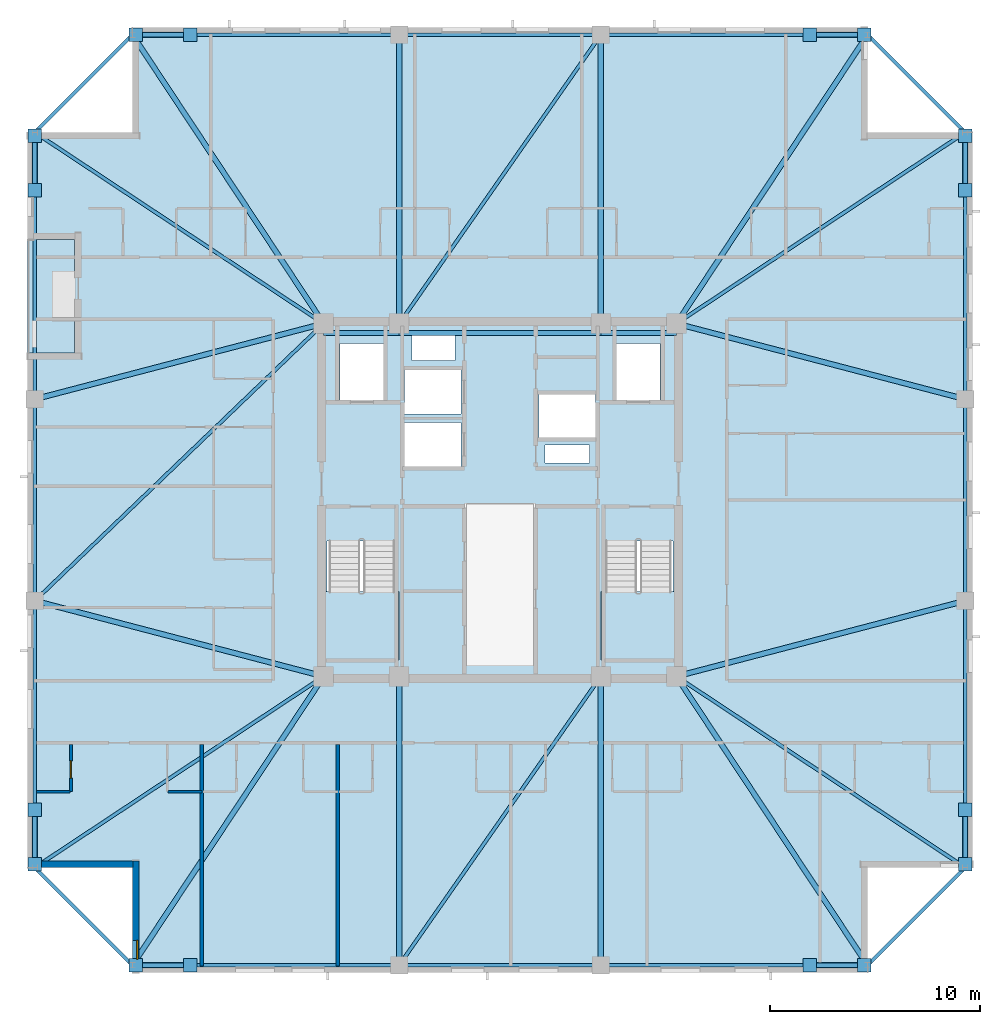
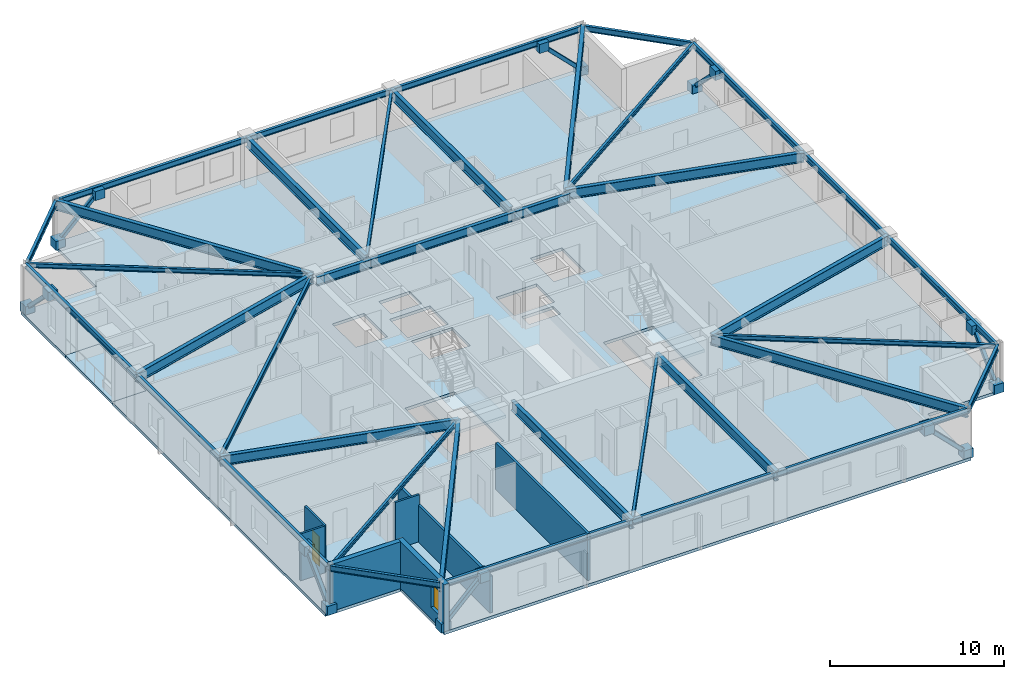
# One storey, part 6 of 17: 38 beams, 16 plates, 8 members, 7 walls, 4 slabs, 1 door, 1 window, 2 openings, 2 elements without a shape of their own.
"""IFC4 building model written with IfcOpenShell, lengths in metres."""

from ifc_helpers import new_model, si_unit, direction, frame, frame_2d, origin, origin_2d, place, context, subcontext, project, spatial, polyline, rectangle, hollow_rectangle, i_section, outline, extrude, material, layer, layer_set, material_profile, profile_set, type_object, element, fill, aggregate, save


model = new_model("IFC4")

# Units and contexts
model_context = context("Model", 3, precision=1e-05, world=origin(), true_north=direction((0.0, 1.0)))
body_context = subcontext(model_context, "Body", "Model", "MODEL_VIEW")
ifc_project = project(units=[si_unit("LENGTHUNIT", "METRE"), si_unit("AREAUNIT", "SQUARE_METRE"), si_unit("VOLUMEUNIT", "CUBIC_METRE"), si_unit("PLANEANGLEUNIT", "RADIAN"), si_unit("MASSUNIT", "GRAM", prefix="KILO")], contexts=[model_context])

# Site, building, storey
site_placement = place(None, origin())
site = spatial("IfcSite", under=ifc_project, at=site_placement, CompositionType="ELEMENT")
building_placement = place(site_placement, origin())
building = spatial("IfcBuilding", under=site, at=building_placement, Name="Cairnveth Concourse Tower", CompositionType="ELEMENT")
storey_placement = place(building_placement, frame((0.0, 0.0, 234.0)))
storey = spatial("IfcBuildingStorey", under=building, at=storey_placement, Name="L64", CompositionType="ELEMENT", Elevation=234.0)

# Beams
ifc_material_1 = material(Name="Steel Grade 350", Category="steel")
ifc_material_profile_1 = material_profile(ifc_material_1, i_section(OverallWidth=0.22802734375, OverallDepth=0.60693359375, WebThickness=0.01123046875, FlangeThickness=0.017333984375, FilletRadius=0.013916015625, at=origin_2d()), Name="610UB113")
ifc_profile_set_1 = profile_set([ifc_material_profile_1], Name="Steel Grade 350")
beam_type_1 = type_object("IfcBeamType", Name="CORE TIE BEAM 610UB113", PredefinedType="T_BEAM", material=ifc_profile_set_1)
for number, where, z_axis, x_axis, name in (
    (1, (43.60009765625, 46.949951171875, 2.986572265625), (1.0, 0.0, 0.0), (0.0, 1.0, 0.0), "Beam CT-N1 L64"),
    (2, (56.800048828125, 46.949951171875, 2.986572265625), (1.0, 0.0, 0.0), (0.0, 1.0, 0.0), "Beam CT-N3 L64"),
):
    element("IfcBeam", number, at=place(storey_placement, frame(where, z_axis=z_axis, x_axis=x_axis)), inside=storey, type_object=beam_type_1, Name=name, PredefinedType="T_BEAM", context=body_context, shape_type="SweptSolid", body=[
        extrude(i_section(OverallWidth=0.22802734375, OverallDepth=0.60693359375, WebThickness=0.01123046875, FlangeThickness=0.017333984375, FilletRadius=0.013916015625, at=origin_2d()), origin(), (0.0, 0.0, 1.0), 3.599853515625),
    ])
beam_1_placement = place(storey_placement, frame((47.199951171875, 46.949951171875, 2.986572265625), z_axis=(1.0, 0.0, 0.0), x_axis=(0.0, 1.0, 0.0)))
element("IfcBeam", 3, at=beam_1_placement, inside=storey, type_object=beam_type_1, Name="Beam CT-N2 L64", PredefinedType="T_BEAM", context=body_context, shape_type="SweptSolid", body=[
    extrude(i_section(OverallWidth=0.22802734375, OverallDepth=0.60693359375, WebThickness=0.01123046875, FlangeThickness=0.017333984375, FilletRadius=0.013916015625, at=origin_2d()), origin(), (0.0, 0.0, 1.0), 9.60009765625),
])
ifc_material_profile_2 = material_profile(ifc_material_1, i_section(OverallWidth=0.166015625, OverallDepth=0.306884765625, WebThickness=0.006591796875, FlangeThickness=0.01171875, FilletRadius=0.010986328125, at=origin_2d()), Name="310UB46.2")
ifc_profile_set_2 = profile_set([ifc_material_profile_2], Name="Steel Grade 350")
beam_type_2 = type_object("IfcBeamType", Name="ZONE 3 FLOOR JOIST 310UB46.2", PredefinedType="JOIST", material=ifc_profile_set_2)
for number, where, z_axis, x_axis, name in (
    (4, (29.85009765625, 21.5, 3.136474609375), (0.833908956207, 0.551902031848, 0.0), (-0.551902031848, 0.833908956207, 0.0), "Beam FJ-CSW2 L64"),
    (5, (74.14990234375, 21.5, 3.136474609375), (-0.833908956207, 0.551902031848, 0.0), (-0.551902031848, -0.833908956207, 0.0), "Beam FJ-CSE2 L64"),
    (6, (74.14990234375, 56.5, 3.136474609375), (-0.833908956207, -0.551902031848, 0.0), (0.551902031848, -0.833908956207, 0.0), "Beam FJ-CNE2 L64"),
    (7, (29.85009765625, 56.5, 3.136474609375), (0.833908956207, -0.551902031848, 0.0), (0.551902031848, 0.833908956207, 0.0), "Beam FJ-CNW2 L64"),
):
    element("IfcBeam", number, at=place(storey_placement, frame(where, z_axis=z_axis, x_axis=x_axis)), inside=storey, type_object=beam_type_2, Name=name, PredefinedType="JOIST", context=body_context, shape_type="SweptSolid", body=[
        extrude(i_section(OverallWidth=0.166015625, OverallDepth=0.306884765625, WebThickness=0.006591796875, FlangeThickness=0.01171875, FilletRadius=0.010986328125, at=origin_2d()), origin(), (0.0, 0.0, 1.0), 16.488525390625),
    ])
for number, where, z_axis, x_axis, name in (
    (8, (47.199951171875, 16.85009765625, 3.136474609375), (0.572465304893, 0.819928944905, 0.0), (-0.819928944905, 0.572465304893, 0.0), "Beam FJ-S-M1 L64"),
    (9, (47.199951171875, 47.39990234375, 3.136474609375), (0.572465304893, 0.819928944905, 0.0), (-0.819928944905, 0.572465304893, 0.0), "Beam FJ-N-M1 L64"),
):
    element("IfcBeam", number, at=place(storey_placement, frame(where, z_axis=z_axis, x_axis=x_axis)), inside=storey, type_object=beam_type_2, Name=name, PredefinedType="JOIST", context=body_context, shape_type="SweptSolid", body=[
        extrude(i_section(OverallWidth=0.166015625, OverallDepth=0.306884765625, WebThickness=0.006591796875, FlangeThickness=0.01171875, FilletRadius=0.010986328125, at=origin_2d()), origin(), (0.0, 0.0, 1.0), 16.769775390625),
    ])
beam_2_placement = place(storey_placement, frame((29.85009765625, 34.199951171875, 3.136474609375), z_axis=(0.721388600838, 0.692530495055, 0.0), x_axis=(-0.692530495055, 0.721388600838, 0.0)))
element("IfcBeam", 10, at=beam_2_placement, inside=storey, type_object=beam_type_2, Name="Beam FJ-W-M1 L64", PredefinedType="JOIST", context=body_context, shape_type="SweptSolid", body=[
    extrude(i_section(OverallWidth=0.166015625, OverallDepth=0.306884765625, WebThickness=0.006591796875, FlangeThickness=0.01171875, FilletRadius=0.010986328125, at=origin_2d()), origin(), (0.0, 0.0, 1.0), 19.060546875),
])

# Members
ifc_material_2 = material(Name="Steel C350L0 (350 MPa)", Category="steel")
ifc_material_profile_3 = material_profile(ifc_material_2, hollow_rectangle(XDim=0.25, YDim=0.25, WallThickness=0.012451171875, InnerFilletRadius=0.012939453125, OuterFilletRadius=0.02490234375, at=origin_2d()), Name="250x250x12.5SHS")
ifc_profile_set_3 = profile_set([ifc_material_profile_3], Name="Steel C350L0 (350 MPa)")
member_type = type_object("IfcMemberType", Name="ZONE 3 PIER BRACE 250X250X12.5SHS", PredefinedType="BRACE", material=ifc_profile_set_3)
for number, where, z_axis, x_axis, name in (
    (11, (34.64990234375, 16.85009765625, 0.25), (0.708469186186, 0.0, 0.705741746126), (0.0, 1.0, 0.0), "Structural Brace PB-S1 L64"),
    (12, (69.35009765625, 16.85009765625, 0.25), (-0.708469186186, 0.0, 0.705741746126), (0.0, -1.0, 0.0), "Structural Brace PB-S2 L64"),
    (13, (34.64990234375, 61.14990234375, 0.25), (0.708469186186, 0.0, 0.705741746126), (0.0, 1.0, 0.0), "Structural Brace PB-N1 L64"),
    (14, (69.35009765625, 61.14990234375, 0.25), (-0.708469186186, 0.0, 0.705741746126), (0.0, -1.0, 0.0), "Structural Brace PB-N2 L64"),
    (15, (29.85009765625, 21.64990234375, 0.25), (0.0, 0.708469186186, 0.705741746126), (-1.0, 0.0, 0.0), "Structural Brace PB-W1 L64"),
    (16, (29.85009765625, 56.35009765625, 0.25), (0.0, -0.708469186186, 0.705741746126), (1.0, 0.0, 0.0), "Structural Brace PB-W2 L64"),
    (17, (74.14990234375, 21.64990234375, 0.25), (0.0, 0.708469186186, 0.705741746126), (-1.0, 0.0, 0.0), "Structural Brace PB-E1 L64"),
    (18, (74.14990234375, 56.35009765625, 0.25), (0.0, -0.708469186186, 0.705741746126), (1.0, 0.0, 0.0), "Structural Brace PB-E2 L64"),
):
    element("IfcMember", number, at=place(storey_placement, frame(where, z_axis=z_axis, x_axis=x_axis)), inside=storey, type_object=member_type, Name=name, PredefinedType="BRACE", context=body_context, shape_type="SweptSolid", body=[
        extrude(hollow_rectangle(XDim=0.25, YDim=0.25, WallThickness=0.012451171875, InnerFilletRadius=0.012939453125, OuterFilletRadius=0.02490234375, at=origin_2d()), origin(), (0.0, 0.0, 1.0), 3.669921875),
    ])

# Beams
ifc_material_profile_4 = material_profile(ifc_material_1, i_section(OverallWidth=0.25, OverallDepth=0.69189453125, WebThickness=0.010009765625, FlangeThickness=0.02490234375, at=origin_2d()), Name="700WB150")
ifc_profile_set_4 = profile_set([ifc_material_profile_4], Name="Steel Grade 350")
beam_type_3 = type_object("IfcBeamType", Name="ZONE 3 RADIAL GIRDER 700WB150", PredefinedType="BEAM", material=ifc_profile_set_4)
for number, where, z_axis, x_axis, name in (
    (19, (47.199951171875, 16.85009765625, 2.944091796875), (0.0, 1.0, 0.0), (-1.0, 0.0, 0.0), "Beam RG-S1 L64"),
    (20, (56.800048828125, 16.85009765625, 2.944091796875), (0.0, 1.0, 0.0), (-1.0, 0.0, 0.0), "Beam RG-S2 L64"),
    (21, (47.199951171875, 47.39990234375, 2.944091796875), (0.0, 1.0, 0.0), (-1.0, 0.0, 0.0), "Beam RG-N1 L64"),
    (22, (56.800048828125, 47.39990234375, 2.944091796875), (0.0, 1.0, 0.0), (-1.0, 0.0, 0.0), "Beam RG-N2 L64"),
):
    element("IfcBeam", number, at=place(storey_placement, frame(where, z_axis=z_axis, x_axis=x_axis)), inside=storey, type_object=beam_type_3, Name=name, PredefinedType="BEAM", context=body_context, shape_type="SweptSolid", body=[
        extrude(i_section(OverallWidth=0.25, OverallDepth=0.69189453125, WebThickness=0.010009765625, FlangeThickness=0.02490234375, at=origin_2d()), origin(), (0.0, 0.0, 1.0), 13.75),
    ])
for number, where, z_axis, x_axis, name in (
    (23, (29.85009765625, 34.199951171875, 2.944091796875), (0.967395273598, -0.253271365575, 0.0), (0.253271365575, 0.967395273598, 0.0), "Beam RG-W1 L64"),
    (24, (29.85009765625, 43.800048828125, 2.944091796875), (0.967395273598, 0.253271365575, 0.0), (-0.253271365575, 0.967395273598, 0.0), "Beam RG-W2 L64"),
    (25, (60.39990234375, 30.60009765625, 2.944091796875), (0.967395273598, 0.253271365575, 0.0), (-0.253271365575, 0.967395273598, 0.0), "Beam RG-E1 L64"),
    (26, (60.39990234375, 47.39990234375, 2.944091796875), (0.967395273598, -0.253271365575, 0.0), (0.253271365575, 0.967395273598, 0.0), "Beam RG-E2 L64"),
):
    element("IfcBeam", number, at=place(storey_placement, frame(where, z_axis=z_axis, x_axis=x_axis)), inside=storey, type_object=beam_type_3, Name=name, PredefinedType="BEAM", context=body_context, shape_type="SweptSolid", body=[
        extrude(i_section(OverallWidth=0.25, OverallDepth=0.69189453125, WebThickness=0.010009765625, FlangeThickness=0.02490234375, at=origin_2d()), origin(), (0.0, 0.0, 1.0), 14.21337890625),
    ])
for number, where, z_axis, x_axis, name in (
    (27, (34.5, 16.85009765625, 2.944091796875), (0.551902031848, 0.833908956207, 0.0), (-0.833908956207, 0.551902031848, 0.0), "Beam RG-CSW L64"),
    (28, (69.5, 16.85009765625, 2.944091796875), (-0.551902031848, 0.833908956207, 0.0), (-0.833908956207, -0.551902031848, 0.0), "Beam RG-CSE L64"),
    (29, (69.5, 61.14990234375, 2.944091796875), (-0.551902031848, -0.833908956207, 0.0), (0.833908956207, -0.551902031848, 0.0), "Beam RG-CNE L64"),
    (30, (34.5, 61.14990234375, 2.944091796875), (0.551902031848, -0.833908956207, 0.0), (0.833908956207, 0.551902031848, 0.0), "Beam RG-CNW L64"),
):
    element("IfcBeam", number, at=place(storey_placement, frame(where, z_axis=z_axis, x_axis=x_axis)), inside=storey, type_object=beam_type_3, Name=name, PredefinedType="BEAM", context=body_context, shape_type="SweptSolid", body=[
        extrude(i_section(OverallWidth=0.25, OverallDepth=0.69189453125, WebThickness=0.010009765625, FlangeThickness=0.02490234375, at=origin_2d()), origin(), (0.0, 0.0, 1.0), 16.488525390625),
    ])
ifc_material_profile_5 = material_profile(ifc_material_1, i_section(OverallWidth=0.177978515625, OverallDepth=0.406005859375, WebThickness=0.0078125, FlangeThickness=0.0126953125, FilletRadius=0.010986328125, at=origin_2d()), Name="410UB59.7")
ifc_profile_set_5 = profile_set([ifc_material_profile_5], Name="Steel Grade 350")
beam_type_4 = type_object("IfcBeamType", Name="ZONE 3 SPANDREL BEAM 410UB59.7", PredefinedType="SPANDREL", material=ifc_profile_set_5)
beam_3_placement = place(storey_placement, frame((34.5, 16.85009765625, 3.0869140625), z_axis=(1.0, 0.0, 0.0), x_axis=(0.0, 1.0, 0.0)))
element("IfcBeam", 31, at=beam_3_placement, inside=storey, type_object=beam_type_4, Name="Beam SP-S1 L64", PredefinedType="SPANDREL", context=body_context, shape_type="SweptSolid", body=[
    extrude(i_section(OverallWidth=0.177978515625, OverallDepth=0.406005859375, WebThickness=0.0078125, FlangeThickness=0.0126953125, FilletRadius=0.010986328125, at=origin_2d()), origin(), (0.0, 0.0, 1.0), 12.699951171875),
])
beam_4_placement = place(storey_placement, frame((47.199951171875, 16.85009765625, 3.0869140625), z_axis=(1.0, 0.0, 0.0), x_axis=(0.0, 1.0, 0.0)))
element("IfcBeam", 32, at=beam_4_placement, inside=storey, type_object=beam_type_4, Name="Beam SP-S2 L64", PredefinedType="SPANDREL", context=body_context, shape_type="SweptSolid", body=[
    extrude(i_section(OverallWidth=0.177978515625, OverallDepth=0.406005859375, WebThickness=0.0078125, FlangeThickness=0.0126953125, FilletRadius=0.010986328125, at=origin_2d()), origin(), (0.0, 0.0, 1.0), 9.60009765625),
])
for number, where, z_axis, x_axis, name in (
    (33, (56.800048828125, 16.85009765625, 3.0869140625), (1.0, 0.0, 0.0), (0.0, 1.0, 0.0), "Beam SP-S3 L64"),
    (34, (34.5, 61.14990234375, 3.0869140625), (1.0, 0.0, 0.0), (0.0, 1.0, 0.0), "Beam SP-N1 L64"),
):
    element("IfcBeam", number, at=place(storey_placement, frame(where, z_axis=z_axis, x_axis=x_axis)), inside=storey, type_object=beam_type_4, Name=name, PredefinedType="SPANDREL", context=body_context, shape_type="SweptSolid", body=[
        extrude(i_section(OverallWidth=0.177978515625, OverallDepth=0.406005859375, WebThickness=0.0078125, FlangeThickness=0.0126953125, FilletRadius=0.010986328125, at=origin_2d()), origin(), (0.0, 0.0, 1.0), 12.699951171875),
    ])
beam_5_placement = place(storey_placement, frame((47.199951171875, 61.14990234375, 3.0869140625), z_axis=(1.0, 0.0, 0.0), x_axis=(0.0, 1.0, 0.0)))
element("IfcBeam", 35, at=beam_5_placement, inside=storey, type_object=beam_type_4, Name="Beam SP-N2 L64", PredefinedType="SPANDREL", context=body_context, shape_type="SweptSolid", body=[
    extrude(i_section(OverallWidth=0.177978515625, OverallDepth=0.406005859375, WebThickness=0.0078125, FlangeThickness=0.0126953125, FilletRadius=0.010986328125, at=origin_2d()), origin(), (0.0, 0.0, 1.0), 9.60009765625),
])
for number, where, z_axis, x_axis, name in (
    (36, (56.800048828125, 61.14990234375, 3.0869140625), (1.0, 0.0, 0.0), (0.0, 1.0, 0.0), "Beam SP-N3 L64"),
    (37, (29.85009765625, 21.5, 3.0869140625), (0.0, 1.0, 0.0), (-1.0, 0.0, 0.0), "Beam SP-W1 L64"),
):
    element("IfcBeam", number, at=place(storey_placement, frame(where, z_axis=z_axis, x_axis=x_axis)), inside=storey, type_object=beam_type_4, Name=name, PredefinedType="SPANDREL", context=body_context, shape_type="SweptSolid", body=[
        extrude(i_section(OverallWidth=0.177978515625, OverallDepth=0.406005859375, WebThickness=0.0078125, FlangeThickness=0.0126953125, FilletRadius=0.010986328125, at=origin_2d()), origin(), (0.0, 0.0, 1.0), 12.699951171875),
    ])
beam_6_placement = place(storey_placement, frame((29.85009765625, 34.199951171875, 3.0869140625), z_axis=(0.0, 1.0, 0.0), x_axis=(-1.0, 0.0, 0.0)))
element("IfcBeam", 38, at=beam_6_placement, inside=storey, type_object=beam_type_4, Name="Beam SP-W2 L64", PredefinedType="SPANDREL", context=body_context, shape_type="SweptSolid", body=[
    extrude(i_section(OverallWidth=0.177978515625, OverallDepth=0.406005859375, WebThickness=0.0078125, FlangeThickness=0.0126953125, FilletRadius=0.010986328125, at=origin_2d()), origin(), (0.0, 0.0, 1.0), 9.60009765625),
])
for number, where, z_axis, x_axis, name in (
    (39, (29.85009765625, 43.800048828125, 3.0869140625), (0.0, 1.0, 0.0), (-1.0, 0.0, 0.0), "Beam SP-W3 L64"),
    (40, (74.14990234375, 21.5, 3.0869140625), (0.0, 1.0, 0.0), (-1.0, 0.0, 0.0), "Beam SP-E1 L64"),
):
    element("IfcBeam", number, at=place(storey_placement, frame(where, z_axis=z_axis, x_axis=x_axis)), inside=storey, type_object=beam_type_4, Name=name, PredefinedType="SPANDREL", context=body_context, shape_type="SweptSolid", body=[
        extrude(i_section(OverallWidth=0.177978515625, OverallDepth=0.406005859375, WebThickness=0.0078125, FlangeThickness=0.0126953125, FilletRadius=0.010986328125, at=origin_2d()), origin(), (0.0, 0.0, 1.0), 12.699951171875),
    ])
beam_7_placement = place(storey_placement, frame((74.14990234375, 34.199951171875, 3.0869140625), z_axis=(0.0, 1.0, 0.0), x_axis=(-1.0, 0.0, 0.0)))
element("IfcBeam", 41, at=beam_7_placement, inside=storey, type_object=beam_type_4, Name="Beam SP-E2 L64", PredefinedType="SPANDREL", context=body_context, shape_type="SweptSolid", body=[
    extrude(i_section(OverallWidth=0.177978515625, OverallDepth=0.406005859375, WebThickness=0.0078125, FlangeThickness=0.0126953125, FilletRadius=0.010986328125, at=origin_2d()), origin(), (0.0, 0.0, 1.0), 9.60009765625),
])
beam_8_placement = place(storey_placement, frame((74.14990234375, 43.800048828125, 3.0869140625), z_axis=(0.0, 1.0, 0.0), x_axis=(-1.0, 0.0, 0.0)))
element("IfcBeam", 42, at=beam_8_placement, inside=storey, type_object=beam_type_4, Name="Beam SP-E3 L64", PredefinedType="SPANDREL", context=body_context, shape_type="SweptSolid", body=[
    extrude(i_section(OverallWidth=0.177978515625, OverallDepth=0.406005859375, WebThickness=0.0078125, FlangeThickness=0.0126953125, FilletRadius=0.010986328125, at=origin_2d()), origin(), (0.0, 0.0, 1.0), 12.699951171875),
])
for number, where, z_axis, x_axis, name in (
    (43, (29.85009765625, 21.5, 3.0869140625), (0.707106781187, -0.707106781187, 0.0), (0.707106781187, 0.707106781187, 0.0), "Beam SP-SW L64"),
    (44, (69.5, 16.85009765625, 3.0869140625), (0.707106781187, 0.707106781187, 0.0), (-0.707106781187, 0.707106781187, 0.0), "Beam SP-SE L64"),
    (45, (69.5, 61.14990234375, 3.0869140625), (0.707106781187, -0.707106781187, 0.0), (0.707106781187, 0.707106781187, 0.0), "Beam SP-NE L64"),
    (46, (29.85009765625, 56.5, 3.0869140625), (0.707106781187, 0.707106781187, 0.0), (-0.707106781187, 0.707106781187, 0.0), "Beam SP-NW L64"),
):
    element("IfcBeam", number, at=place(storey_placement, frame(where, z_axis=z_axis, x_axis=x_axis)), inside=storey, type_object=beam_type_4, Name=name, PredefinedType="SPANDREL", context=body_context, shape_type="SweptSolid", body=[
        extrude(i_section(OverallWidth=0.177978515625, OverallDepth=0.406005859375, WebThickness=0.0078125, FlangeThickness=0.0126953125, FilletRadius=0.010986328125, at=origin_2d()), origin(), (0.0, 0.0, 1.0), 6.575927734375),
    ])

# Plates
ifc_layer_1 = layer(ifc_material_1, 0.031982421875)
ifc_layer_set_1 = layer_set([ifc_layer_1], Name="Steel Grade 350")
plate_type = type_object("IfcPlateType", Name="PERIMETER BRACE GUSSET PLATE 32", PredefinedType="USERDEFINED", material=ifc_layer_set_1)
for number, where, z_axis, x_axis, name in (
    (47, (34.64990234375, 16.85009765625, -0.06982421875), (0.0, 0.0, 1.0), (1.0, 0.0, 0.0), "Structural Node Plate 1109 L64"),
    (48, (37.25, 16.85009765625, 2.52001953125), (0.0, 0.0, 1.0), (1.0, 0.0, 0.0), "Structural Node Plate 1110 L64"),
    (49, (69.35009765625, 16.85009765625, -0.06982421875), (0.0, 0.0, 1.0), (1.0, 0.0, 0.0), "Structural Node Plate 1111 L64"),
    (50, (66.75, 16.85009765625, 2.52001953125), (0.0, 0.0, 1.0), (1.0, 0.0, 0.0), "Structural Node Plate 1112 L64"),
    (51, (34.64990234375, 61.14990234375, -0.06982421875), (0.0, 0.0, 1.0), (1.0, 0.0, 0.0), "Structural Node Plate 1113 L64"),
    (52, (37.25, 61.14990234375, 2.52001953125), (0.0, 0.0, 1.0), (1.0, 0.0, 0.0), "Structural Node Plate 1114 L64"),
    (53, (69.35009765625, 61.14990234375, -0.06982421875), (0.0, 0.0, 1.0), (1.0, 0.0, 0.0), "Structural Node Plate 1115 L64"),
    (54, (66.75, 61.14990234375, 2.52001953125), (0.0, 0.0, 1.0), (1.0, 0.0, 0.0), "Structural Node Plate 1116 L64"),
    (55, (29.85009765625, 21.64990234375, -0.06982421875), (0.0, 0.0, 1.0), (1.0, 0.0, 0.0), "Structural Node Plate 1117 L64"),
    (56, (29.85009765625, 24.25, 2.52001953125), (0.0, 0.0, 1.0), (1.0, 0.0, 0.0), "Structural Node Plate 1118 L64"),
    (57, (29.85009765625, 56.35009765625, -0.06982421875), (0.0, 0.0, 1.0), (1.0, 0.0, 0.0), "Structural Node Plate 1119 L64"),
    (58, (29.85009765625, 53.75, 2.52001953125), (0.0, 0.0, 1.0), (1.0, 0.0, 0.0), "Structural Node Plate 1120 L64"),
    (59, (74.14990234375, 21.64990234375, -0.06982421875), (0.0, 0.0, 1.0), (1.0, 0.0, 0.0), "Structural Node Plate 1121 L64"),
    (60, (74.14990234375, 24.25, 2.52001953125), (0.0, 0.0, 1.0), (1.0, 0.0, 0.0), "Structural Node Plate 1122 L64"),
    (61, (74.14990234375, 56.35009765625, -0.06982421875), (0.0, 0.0, 1.0), (1.0, 0.0, 0.0), "Structural Node Plate 1123 L64"),
    (62, (74.14990234375, 53.75, 2.52001953125), (0.0, 0.0, 1.0), (1.0, 0.0, 0.0), "Structural Node Plate 1124 L64"),
):
    element("IfcPlate", number, at=place(storey_placement, frame(where, z_axis=z_axis, x_axis=x_axis)), inside=storey, type_object=plate_type, Name=name, ObjectType="GUSSET PLATE", PredefinedType="USERDEFINED", context=body_context, shape_type="SweptSolid", body=[
        extrude(rectangle(XDim=0.639892578125, YDim=0.639892578125, at=origin_2d()), origin(), (0.0, 0.0, 1.0), 0.639892578125),
    ])

# Slab
ifc_material_3 = material(Name="Concrete N50 (50 MPa)", Category="concrete")
ifc_layer_2 = layer(ifc_material_3, 0.18994140625)
ifc_layer_set_2 = layer_set([ifc_layer_2], Name="Concrete N50 (50 MPa)")
slab_type_1 = type_object("IfcSlabType", Name="SPIRAL OUTDOOR TERRACE SLAB 190", PredefinedType="FLOOR", material=ifc_layer_set_2)
slab_1_placement = place(storey_placement, frame((0.0, 0.0, -0.18994140625)))
element("IfcSlab", 63, at=slab_1_placement, inside=storey, type_object=slab_type_1, Name="Spiral Terrace Slab L64", PredefinedType="FLOOR", context=body_context, shape_type="SweptSolid", body=[
    extrude(outline(polyline([(29.5, 46.0), (31.75, 46.0), (31.75, 51.39990234375), (29.5, 51.39990234375), (29.5, 46.0)])), origin(), (0.0, 0.0, 1.0), 0.18994140625),
])

# Stair, slab
ifc_material_4 = material(Name="Precast concrete N50 (50 MPa)", Category="concrete")
stair_type = type_object("IfcStairType", Name="CORE DOG-LEG FIRE STAIR 1500", PredefinedType="HALF_TURN_STAIR", material=ifc_material_4)
stair_1_placement = place(storey_placement, origin())
stair_1 = element("IfcStair", 64, at=stair_1_placement, inside=storey, type_object=stair_type, Name="L64 Fire-Isolated Stair ST-1", PredefinedType="HALF_TURN_STAIR")
ifc_layer_3 = layer(ifc_material_3, 0.199951171875)
ifc_layer_set_3 = layer_set([ifc_layer_3], Name="Concrete N50 (50 MPa)")
slab_type_2 = type_object("IfcSlabType", Name="STAIR HALF LANDING SLAB 200", PredefinedType="LANDING", material=ifc_layer_set_3)
slab_2_placement = place(storey_placement, frame((0.0, 0.0, 1.550048828125)))
slab_2 = element("IfcSlab", 65, at=slab_2_placement, type_object=slab_type_2, Name="ST-1 landing 1", PredefinedType="LANDING", context=body_context, shape_type="SweptSolid", body=[
    extrude(outline(polyline([(43.6201171875, 34.639892578125), (43.6201171875, 31.3701171875), (47.199951171875, 31.3701171875), (47.199951171875, 34.639892578125), (43.6201171875, 34.639892578125)])), origin(), (0.0, 0.0, 1.0), 0.199951171875),
])
aggregate(stair_1, [slab_2])

stair_2_placement = place(storey_placement, origin())
stair_2 = element("IfcStair", 66, at=stair_2_placement, inside=storey, type_object=stair_type, Name="L64 Fire-Isolated Stair ST-2", PredefinedType="HALF_TURN_STAIR")
slab_3_placement = place(storey_placement, frame((0.0, 0.0, 1.550048828125)))
slab_3 = element("IfcSlab", 67, at=slab_3_placement, type_object=slab_type_2, Name="ST-2 landing 1", PredefinedType="LANDING", context=body_context, shape_type="SweptSolid", body=[
    extrude(outline(polyline([(56.800048828125, 34.639892578125), (56.800048828125, 31.3701171875), (60.3798828125, 31.3701171875), (60.3798828125, 34.639892578125), (56.800048828125, 34.639892578125)])), origin(), (0.0, 0.0, 1.0), 0.199951171875),
])
aggregate(stair_2, [slab_3])

# Slab
ifc_layer_4 = layer(ifc_material_3, 0.2099609375)
ifc_layer_set_4 = layer_set([ifc_layer_4], Name="Concrete N50 (50 MPa)")
slab_type_3 = type_object("IfcSlabType", Name="UPPER TOWER COMPOSITE SLAB 210", PredefinedType="FLOOR", material=ifc_layer_set_4)
slab_4_placement = place(storey_placement, frame((0.0, 0.0, -0.2099609375)))
element("IfcSlab", 68, at=slab_4_placement, inside=storey, type_object=slab_type_3, Name="Tower Floor Slab L64", PredefinedType="FLOOR", context=body_context, shape_type="SweptSolid", body=[
    extrude(outline(polyline([(29.5, 51.39990234375), (31.75, 51.39990234375), (31.75, 46.0), (29.5, 46.0), (29.5, 21.5), (34.5, 21.5), (34.5, 16.5), (69.5, 16.5), (69.5, 21.5), (74.5, 21.5), (74.5, 56.5), (69.5, 56.5), (69.5, 61.5), (34.5, 61.5), (34.5, 56.5), (29.5, 56.5), (29.5, 51.39990234375)]), holes=[polyline([(43.760009765625, 31.360107421875), (47.06005859375, 31.360107421875), (47.06005859375, 37.0400390625), (43.760009765625, 37.0400390625), (43.760009765625, 31.360107421875)]), polyline([(56.93994140625, 31.360107421875), (60.239990234375, 31.360107421875), (60.239990234375, 37.0400390625), (56.93994140625, 37.0400390625), (56.93994140625, 31.360107421875)]), polyline([(44.3701171875, 43.75), (46.469970703125, 43.75), (46.469970703125, 46.449951171875), (44.3701171875, 46.449951171875), (44.3701171875, 43.75)]), polyline([(57.530029296875, 43.75), (59.6298828125, 43.75), (59.6298828125, 46.449951171875), (57.530029296875, 46.449951171875), (57.530029296875, 43.75)]), polyline([(47.449951171875, 40.60009765625), (50.14990234375, 40.60009765625), (50.14990234375, 42.699951171875), (47.449951171875, 42.699951171875), (47.449951171875, 40.60009765625)]), polyline([(47.449951171875, 43.10009765625), (50.14990234375, 43.10009765625), (50.14990234375, 45.199951171875), (47.449951171875, 45.199951171875), (47.449951171875, 43.10009765625)]), polyline([(53.85009765625, 41.949951171875), (56.550048828125, 41.949951171875), (56.550048828125, 44.050048828125), (53.85009765625, 44.050048828125), (53.85009765625, 41.949951171875)]), polyline([(47.800048828125, 45.64990234375), (49.85009765625, 45.64990234375), (49.85009765625, 47.050048828125), (47.800048828125, 47.050048828125), (47.800048828125, 45.64990234375)]), polyline([(54.14990234375, 40.75), (56.25, 40.75), (56.25, 41.6201171875), (54.14990234375, 41.6201171875), (54.14990234375, 40.75)])]), origin(), (0.0, 0.0, 1.0), 0.2099609375),
])

# Walls
ifc_material_5 = material(Name="Gypsum Plasterboard Partition", Category="gypsum")
ifc_layer_5 = layer(ifc_material_5, 0.159912109375)
ifc_layer_set_5 = layer_set([ifc_layer_5], Name="Gypsum Plasterboard Partition")
wall_type_1 = type_object("IfcWallType", Name="ACOUSTIC PARTY WALL 180", PredefinedType="PARTITIONING", material=ifc_layer_set_5)
wall_1_placement = place(storey_placement, frame((37.800048828125, 16.804931640625, 0.0), z_axis=(0.0, 0.0, 1.0), x_axis=(0.0, 1.0, 0.0)))
element("IfcWall", 69, at=wall_1_placement, inside=storey, type_object=wall_type_1, Name="Interior Wall IW-L64-047", PredefinedType="PARTITIONING", context=body_context, shape_type="SweptSolid", body=[
    extrude(rectangle(XDim=10.5576171875, YDim=0.159912109375, at=frame_2d((5.27880859375, 0.0))), origin(), (0.0, 0.0, 1.0), 2.572998046875),
])
wall_2_placement = place(storey_placement, frame((44.280029296875, 16.804931640625, 0.0), z_axis=(0.0, 0.0, 1.0), x_axis=(0.0, 1.0, 0.0)))
element("IfcWall", 70, at=wall_2_placement, inside=storey, type_object=wall_type_1, Name="Interior Wall IW-L64-052", PredefinedType="PARTITIONING", context=body_context, shape_type="SweptSolid", body=[
    extrude(rectangle(XDim=10.5576171875, YDim=0.159912109375, at=frame_2d((5.27880859375, 0.0))), origin(), (0.0, 0.0, 1.0), 3.2900390625),
])

# Wall, opening, door
ifc_layer_6 = layer(ifc_material_5, 0.1298828125)
ifc_layer_set_6 = layer_set([ifc_layer_6], Name="Gypsum Plasterboard Partition")
wall_type_2 = type_object("IfcWallType", Name="WET AREA PARTITION 140", PredefinedType="PLUMBINGWALL", material=ifc_layer_set_6)
wall_3_placement = place(storey_placement, frame((31.570068359375, 25.112548828125, 0.0), z_axis=(0.0, 0.0, 1.0), x_axis=(0.0, 1.0, 0.0)))
wall_3 = element("IfcWall", 71, at=wall_3_placement, inside=storey, type_object=wall_type_2, Name="Interior Wall IW-L64-043", PredefinedType="PLUMBINGWALL", context=body_context, shape_type="SweptSolid", body=[
    extrude(rectangle(XDim=2.25, YDim=0.1298828125, at=frame_2d((1.125, 0.0))), origin(), (0.0, 0.0, 1.0), 3.2900390625),
])
opening_1_placement = place(wall_3_placement, frame((0.64990234375, 0.0, 0.0)))
opening_1 = element("IfcOpeningElement", 72, at=opening_1_placement, cuts=wall_3, Name="Opening ID22", PredefinedType="OPENING", context=body_context, shape_type="SweptSolid", body=[
    extrude(rectangle(XDim=0.820068359375, YDim=2.10009765625, at=frame_2d((0.41015625, 1.050048828125))), frame((0.0, 0.074951171875, 0.0), z_axis=(0.0, -1.0, 0.0), x_axis=(1.0, 0.0, 0.0)), (0.0, 0.0, 1.0), 0.14990234375),
])
ifc_material_6 = material(Name="Solid Core Hardwood Timber Leaf", Category="wood")
door_type = type_object("IfcDoorType", Name="INTERIOR WC DOOR 820X2100", OperationType="NOTDEFINED", PredefinedType="DOOR", material=ifc_material_6)
door_placement = place(opening_1_placement, origin())
door = element("IfcDoor", 73, at=door_placement, inside=storey, type_object=door_type, Name="L64STS1 Bathroom Door", OperationType="SINGLE_SWING_RIGHT", OverallHeight=2.10009765625, OverallWidth=0.820068359375, PredefinedType="DOOR", context=body_context, shape_type="SweptSolid", body=[
    extrude(rectangle(XDim=0.820068359375, YDim=2.10009765625, at=frame_2d((0.41015625, 1.050048828125))), frame((0.0, 0.02490234375, 0.0), z_axis=(0.0, -1.0, 0.0), x_axis=(1.0, 0.0, 0.0)), (0.0, 0.0, 1.0), 0.050048828125),
])
fill(opening_1, door)

# Walls
for number, where, z_axis, x_axis, name in (
    (74, (29.919921875, 25.112548828125, 0.0), (0.0, 0.0, 1.0), (1.0, 0.0, 0.0), "Interior Wall IW-L64-044"),
    (75, (36.199951171875, 25.112548828125, 0.0), (0.0, 0.0, 1.0), (1.0, 0.0, 0.0), "Interior Wall IW-L64-046"),
):
    element("IfcWall", number, at=place(storey_placement, frame(where, z_axis=z_axis, x_axis=x_axis)), inside=storey, type_object=wall_type_2, Name=name, PredefinedType="PLUMBINGWALL", context=body_context, shape_type="SweptSolid", body=[
        extrude(rectangle(XDim=1.60009765625, YDim=0.1298828125, at=frame_2d((0.800048828125, 0.0))), origin(), (0.0, 0.0, 1.0), 3.2900390625),
    ])

# Wall, opening, window
ifc_material_7 = material(Name="Melbourne Buff Fired Clay Brick Masonry", Category="masonry")
ifc_layer_7 = layer(ifc_material_7, 0.320068359375)
ifc_layer_set_7 = layer_set([ifc_layer_7], Name="Melbourne Buff Fired Clay Brick Masonry")
wall_type_3 = type_object("IfcWallType", Name="ZONE 3 BRICK PIER SPANDREL WALL 320", PredefinedType="SOLIDWALL", material=ifc_layer_set_7)
wall_4_placement = place(storey_placement, frame((34.659912109375, 16.5, 0.0), z_axis=(0.0, 0.0, 1.0), x_axis=(0.0, 1.0, 0.0)))
wall_4 = element("IfcWall", 76, at=wall_4_placement, inside=storey, type_object=wall_type_3, Name="Exterior Wall EW-L64-S10", PredefinedType="SOLIDWALL", context=body_context, shape_type="SweptSolid", body=[
    extrude(rectangle(XDim=5.320068359375, YDim=0.320068359375, at=frame_2d((2.66015625, 0.0))), origin(), (0.0, 0.0, 1.0), 3.2900390625),
])
opening_2_placement = place(wall_4_placement, frame((0.6298828125, 0.0, 0.800048828125)))
opening_2 = element("IfcOpeningElement", 77, at=opening_2_placement, cuts=wall_4, Name="Opening W13", PredefinedType="OPENING", context=body_context, shape_type="SweptSolid", body=[
    extrude(rectangle(XDim=0.89990234375, YDim=1.677978515625, at=frame_2d((0.449951171875, 0.8388671875))), frame((0.0, 0.169921875, 0.0), z_axis=(0.0, -1.0, 0.0), x_axis=(1.0, 0.0, 0.0)), (0.0, 0.0, 1.0), 0.340087890625),
])
ifc_material_8 = material(Name="Double Glazed Low-E Clear Glass", Category="glass")
window_type = type_object("IfcWindowType", Name="DEEP-SET BEDROOM LANCET WINDOW 900X1750", PartitioningType="DOUBLE_PANEL_VERTICAL", PredefinedType="WINDOW", material=ifc_material_8)
window_placement = place(opening_2_placement, origin())
window = element("IfcWindow", 78, at=window_placement, inside=storey, type_object=window_type, Name="Dwelling Lancet Window L64-DW1", OverallHeight=1.677978515625, OverallWidth=0.89990234375, PartitioningType="SINGLE_PANEL", PredefinedType="WINDOW", context=body_context, shape_type="SweptSolid", body=[
    extrude(rectangle(XDim=0.89990234375, YDim=1.677978515625, at=frame_2d((0.449951171875, 0.8388671875))), frame((0.0, -0.0400390625, 0.0), z_axis=(0.0, -1.0, 0.0), x_axis=(1.0, 0.0, 0.0)), (0.0, 0.0, 1.0), 0.06005859375),
])
fill(opening_2, window)

# Wall
wall_5_placement = place(storey_placement, frame((34.52197265625, 21.659912109375, 0.0), z_axis=(0.0, 0.0, 1.0), x_axis=(-1.0, 0.0, 0.0)))
element("IfcWall", 79, at=wall_5_placement, inside=storey, type_object=wall_type_3, Name="Exterior Wall EW-L64-S11", PredefinedType="SOLIDWALL", context=body_context, shape_type="SweptSolid", body=[
    extrude(rectangle(XDim=4.723876953125, YDim=0.320068359375, at=frame_2d((2.36181640625, 0.0))), origin(), (0.0, 0.0, 1.0), 3.2900390625),
])

save(model, "model.ifc")
